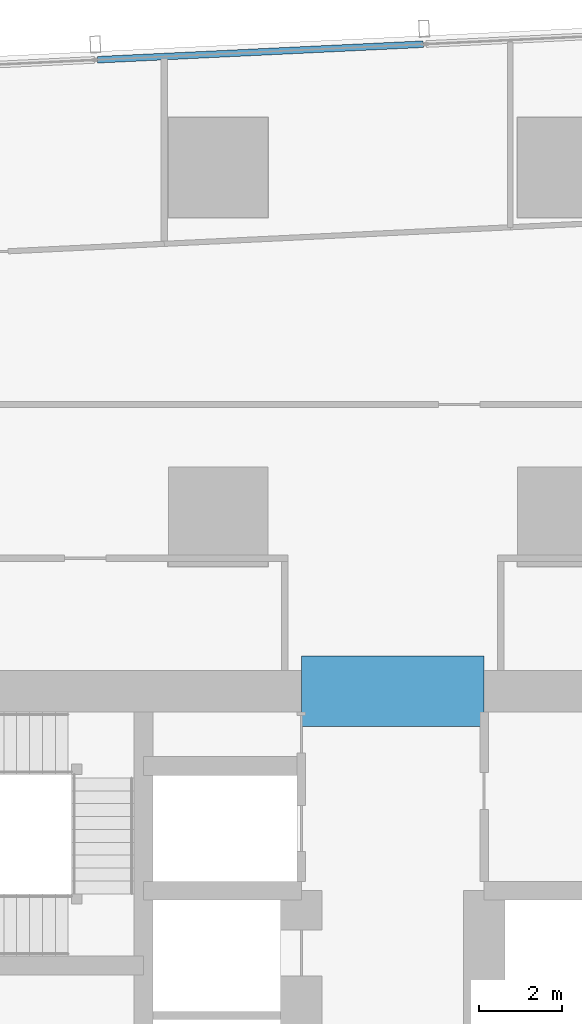
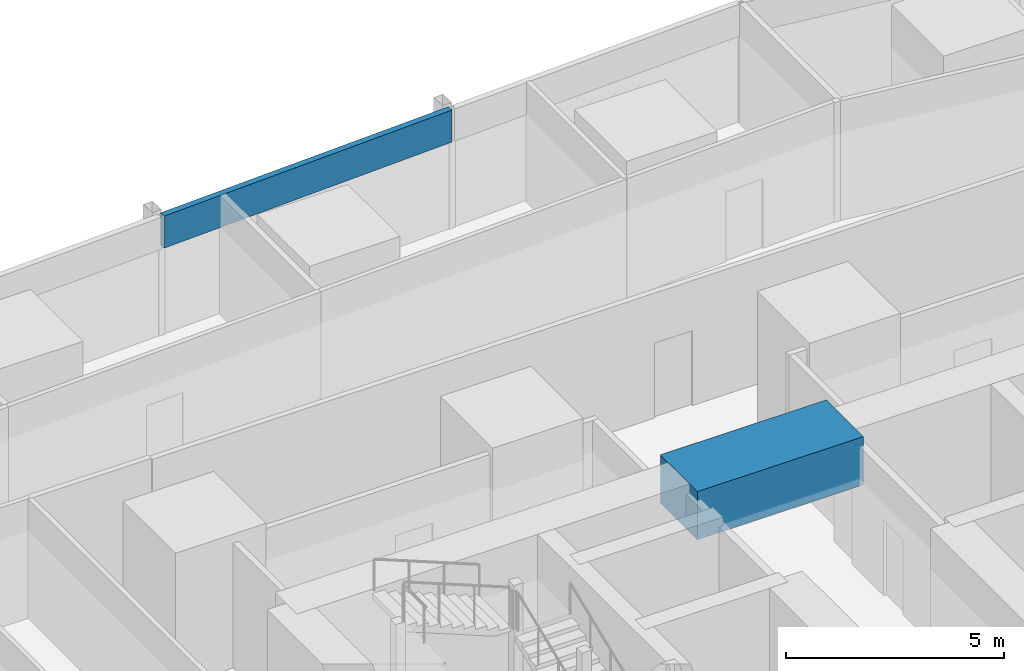
# One storey, part 18 of 37: 1 beam, 1 member, 1 element without a shape of its own.
"""IFC4 building model written with IfcOpenShell, lengths in metres."""

import ifcopenshell
import ifcopenshell.guid

model = None  # the IFC model being written
_history = None  # IfcOwnerHistory: only IFC2X3 demands one
_inside = {}  # id of a spatial element -> (the spatial element, [elements in it])
_under = {}  # id of a project, library or spatial element -> (it, [spatial elements below it])
_declared = {}  # id of a project -> (the project, [libraries it declares])
_typed = {}  # id of a type object -> (the type object, [elements of that type])
_made_of = {}  # id of a material, layer set ... -> (it, [elements and type objects made of it])


def new_model(schema):
    """Start an empty IFC model of exactly this schema.

    Asked for "IFC4X3", IfcOpenShell would pick the latest addendum, in which some entities
    have other attributes; the version numbers below select the first issue.
    IFC2X3 requires an IfcOwnerHistory on every rooted entity: one is made here for all.
    """
    global model, _history
    if schema == "IFC4X3":
        model = ifcopenshell.file(schema_version=(4, 3, 0, 0))
    else:
        model = ifcopenshell.file(schema=schema)
    _inside.clear()
    _under.clear()
    _declared.clear()
    _typed.clear()
    _made_of.clear()
    _history = None
    if model.schema == "IFC2X3":
        org = make("IfcOrganization", Name="unknown")
        user = make(
            "IfcPersonAndOrganization",
            ThePerson=make("IfcPerson", FamilyName="unknown"),
            TheOrganization=org,
        )
        app = make(
            "IfcApplication",
            ApplicationDeveloper=org,
            Version="unknown",
            ApplicationFullName="unknown",
            ApplicationIdentifier="unknown",
        )
        _history = make(
            "IfcOwnerHistory",
            OwningUser=user,
            OwningApplication=app,
            ChangeAction="ADDED",
            CreationDate=0,
        )
    return model


def make(cls, **values):
    """One entity of the class cls with the attributes given. An attribute that is None is left unset."""
    return model.create_entity(
        cls, **{name: value for name, value in values.items() if value is not None}
    )


def rooted(cls, **values):
    """An entity with a GlobalId (a new one), such as an element, a storey or a relation."""
    return make(cls, GlobalId=ifcopenshell.guid.new(), OwnerHistory=_history, **values)


def si_unit(unit_type, name, prefix=None):
    """IfcSIUnit, for example si_unit("LENGTHUNIT", "METRE", prefix="MILLI")."""
    return make("IfcSIUnit", UnitType=unit_type, Prefix=prefix, Name=name)


def assignment(units):
    """IfcUnitAssignment: the units of a project."""
    return None if units is None else make("IfcUnitAssignment", Units=units)


def point(xyz):
    """IfcCartesianPoint."""
    return None if xyz is None else make("IfcCartesianPoint", Coordinates=xyz)


def direction(xyz):
    """IfcDirection."""
    return None if xyz is None else make("IfcDirection", DirectionRatios=xyz)


def frame(location, z_axis=None, x_axis=None):
    """IfcAxis2Placement3D, a coordinate frame: its origin and axes. An axis left out is left unset."""
    return make(
        "IfcAxis2Placement3D",
        Location=point(location),
        Axis=direction(z_axis),
        RefDirection=direction(x_axis),
    )


def frame_2d(location, x_axis=None):
    """IfcAxis2Placement2D, a coordinate frame in the plane: its origin and x axis."""
    return make(
        "IfcAxis2Placement2D", Location=point(location), RefDirection=direction(x_axis)
    )


def origin():
    """The frame at (0, 0, 0) with its axes left unset."""
    return frame((0.0, 0.0, 0.0))


def origin_2d():
    """The frame at (0, 0) in the plane with its x axis left unset."""
    return frame_2d((0.0, 0.0))


def place(relative_to, where):
    """IfcLocalPlacement: puts the frame where relative to a parent placement (None: the world)."""
    return make(
        "IfcLocalPlacement", PlacementRelTo=relative_to, RelativePlacement=where
    )


def context(
    kind, dimensions, precision=None, world=None, true_north=None, identifier=None
):
    """IfcGeometricRepresentationContext, for example the 3D "Model" context."""
    return make(
        "IfcGeometricRepresentationContext",
        ContextIdentifier=identifier,
        ContextType=kind,
        CoordinateSpaceDimension=dimensions,
        Precision=precision,
        WorldCoordinateSystem=world,
        TrueNorth=true_north,
    )


def subcontext(parent, identifier, kind, view, scale=None):
    """IfcGeometricRepresentationSubContext, for example "Body" below "Model"."""
    return make(
        "IfcGeometricRepresentationSubContext",
        ContextIdentifier=identifier,
        ContextType=kind,
        ParentContext=parent,
        TargetScale=scale,
        TargetView=view,
    )


def project(units=None, contexts=None):
    """IfcProject with its units and contexts."""
    return rooted(
        "IfcProject",
        Name="project",
        RepresentationContexts=contexts,
        UnitsInContext=assignment(units),
    )


def spatial(cls, under=None, at=None, **own):
    """A site, building, storey or space (cls), placed at a placement, below another one or the project."""
    s = rooted(cls, ObjectPlacement=at, **own)
    if under is not None:
        _under.setdefault(under.id(), (under, []))[1].append(s)
    return s


def profile(cls, at=None, kind="AREA", **sizes):
    """A parametric profile (cls). Its sizes go by their IFC names, for example OverallWidth=200.0."""
    return make(cls, ProfileType=kind, Position=at, **sizes)


def rectangle(**sizes):
    """IfcRectangleProfileDef."""
    return profile("IfcRectangleProfileDef", **sizes)


def hollow_rectangle(**sizes):
    """IfcRectangleHollowProfileDef."""
    return profile("IfcRectangleHollowProfileDef", **sizes)


def extrude(swept, where, along, depth):
    """IfcExtrudedAreaSolid: the profile swept, set in the frame where, extruded along a direction by depth."""
    return make(
        "IfcExtrudedAreaSolid",
        SweptArea=swept,
        Position=where,
        ExtrudedDirection=direction(along),
        Depth=depth,
    )


def shape(context_of_items, identifier, shape_type, items):
    """IfcShapeRepresentation: the items that make up one representation, for example the "Body"."""
    return make(
        "IfcShapeRepresentation",
        ContextOfItems=context_of_items,
        RepresentationIdentifier=identifier,
        RepresentationType=shape_type,
        Items=items,
    )


def material(Name=None, Category=None):
    """IfcMaterial."""
    return make("IfcMaterial", Name=Name, Category=Category)


def material_profile(
    of_material, cross_section, Name=None, Category=None, Priority=None
):
    """IfcMaterialProfile: a cross section and its material."""
    return make(
        "IfcMaterialProfile",
        Name=Name,
        Material=of_material,
        Profile=cross_section,
        Priority=Priority,
        Category=Category,
    )


def profile_set(profiles, Name=None, composite=None):
    """IfcMaterialProfileSet."""
    return make(
        "IfcMaterialProfileSet",
        Name=Name,
        MaterialProfiles=profiles,
        CompositeProfile=composite,
    )


def made_of(thing, what):
    """Note that an element or type object is made of a material, layer set ...; save() writes the relation."""
    if what is not None:
        _made_of.setdefault(what.id(), (what, []))[1].append(thing)
    return thing


def type_object(cls, material=None, **own):
    """A type object (cls), such as IfcWallType, which elements share."""
    return made_of(rooted(cls, **own), material)


def element(
    cls,
    number,
    at=None,
    inside=None,
    cuts=None,
    type_object=None,
    material=None,
    context=None,
    identifier="Body",
    shape_type=None,
    held_by="IfcProductDefinitionShape",
    body=None,
    shapes=None,
    **own,
):
    """One element of the class cls, such as IfcWall. Its Tag is "e" and its number.

    at: its placement. inside: the storey or other place that contains it. cuts: it is an
    opening in that element (IfcRelVoidsElement). A single representation is given by context,
    identifier, shape_type and body (its items); several are given by shapes. held_by: the class
    of the entity that holds the representations. save() writes the other relations.
    """
    e = rooted(cls, Tag="e%d" % number, ObjectPlacement=at, **own)
    if body is not None:
        shapes = [shape(context, identifier, shape_type, body)]
    if shapes is not None:
        e.Representation = make(held_by, Representations=shapes)
    if inside is not None:
        _inside.setdefault(inside.id(), (inside, []))[1].append(e)
    if cuts is not None:
        rooted(
            "IfcRelVoidsElement", RelatingBuildingElement=cuts, RelatedOpeningElement=e
        )
    if type_object is not None:
        _typed.setdefault(type_object.id(), (type_object, []))[1].append(e)
    return made_of(e, material)


def aggregate(whole, parts):
    """IfcRelAggregates: a whole, such as a stair, and the parts it consists of."""
    return rooted("IfcRelAggregates", RelatingObject=whole, RelatedObjects=parts)


def save(model, path):
    """Write the relations noted so far, then the file.

    IfcRelAggregates (storeys below a building ...), IfcRelContainedInSpatialStructure (elements
    in a storey), IfcRelDefinesByType, IfcRelAssociatesMaterial and IfcRelDeclares: one each for
    every whole, place, type object, material and project.
    """
    for whole, parts in _under.values():
        aggregate(whole, parts)
    for where, things in _inside.values():
        rooted(
            "IfcRelContainedInSpatialStructure",
            RelatedElements=things,
            RelatingStructure=where,
        )
    for kind, things in _typed.values():
        rooted("IfcRelDefinesByType", RelatedObjects=things, RelatingType=kind)
    for what, things in _made_of.values():
        rooted("IfcRelAssociatesMaterial", RelatedObjects=things, RelatingMaterial=what)
    for by, libraries in _declared.values():
        rooted("IfcRelDeclares", RelatingContext=by, RelatedDefinitions=libraries)
    model.write(path)


model = new_model("IFC4")

# Units and contexts
model_context = context("Model", 3, precision=1e-05, world=origin(), true_north=direction((0.0, 1.0)))
body_context = subcontext(model_context, "Body", "Model", "MODEL_VIEW")
ifc_project = project(units=[si_unit("LENGTHUNIT", "METRE"), si_unit("AREAUNIT", "SQUARE_METRE"), si_unit("VOLUMEUNIT", "CUBIC_METRE"), si_unit("PLANEANGLEUNIT", "RADIAN"), si_unit("MASSUNIT", "GRAM", prefix="KILO")], contexts=[model_context])

# Site, building, storey
site_placement = place(None, origin())
site = spatial("IfcSite", under=ifc_project, at=site_placement, CompositionType="ELEMENT")
building_placement = place(site_placement, origin())
building = spatial("IfcBuilding", under=site, at=building_placement, Name="Rekha Terrace Tower", CompositionType="ELEMENT")
storey_placement = place(building_placement, frame((0.0, 0.0, 228.949951171875)))
storey = spatial("IfcBuildingStorey", under=building, at=storey_placement, Name="L58", CompositionType="ELEMENT", Elevation=228.949951171875)

# Curtain wall, member
ifc_material_1 = material(Name="Aluminium framing", Category="aluminium")
curtain_wall_type = type_object("IfcCurtainWallType", Name="CW3 north unitised glazing", PredefinedType="USERDEFINED", material=ifc_material_1)
curtain_wall_placement = place(storey_placement, origin())
curtain_wall = element("IfcCurtainWall", 1, at=curtain_wall_placement, inside=storey, type_object=curtain_wall_type, Name="CW3 unitised curtain wall", ObjectType="UNITISED CURTAIN WALL", PredefinedType="USERDEFINED")
ifc_material_2 = material(Name="Insulated aluminium spandrel box", Category="aluminium")
ifc_material_profile_1 = material_profile(ifc_material_2, hollow_rectangle(XDim=0.159912109375, YDim=0.89990234375, WallThickness=0.0029296875, at=origin_2d()), Name="AL SPANDREL BOX 160x900")
ifc_profile_set_1 = profile_set([ifc_material_profile_1], Name="Insulated aluminium spandrel box")
member_type = type_object("IfcMemberType", Name="CW3 spandrel transom 160 x 900", PredefinedType="USERDEFINED", material=ifc_profile_set_1)
member_placement = place(storey_placement, frame((38.53515625, 61.76953125, 3.050048828125), z_axis=(-0.998859252362, -0.047751376635, 0.0), x_axis=(0.047751376635, -0.998859252362, 0.0)))
member = element("IfcMember", 2, at=member_placement, type_object=member_type, Name="CW3 spandrel transom 2", ObjectType="TRANSOM", PredefinedType="USERDEFINED", context=body_context, shape_type="SweptSolid", body=[
    extrude(hollow_rectangle(XDim=0.159912109375, YDim=0.89990234375, WallThickness=0.0029296875, at=origin_2d()), origin(), (0.0, 0.0, 1.0), 7.84814453125),
])
aggregate(curtain_wall, [member])

# Beam
ifc_material_3 = material(Name="Concrete M60", Category="concrete")
ifc_material_profile_2 = material_profile(ifc_material_3, rectangle(XDim=1.699951171875, YDim=1.35009765625, at=origin_2d()), Name="RC 1700x1350")
ifc_profile_set_2 = profile_set([ifc_material_profile_2], Name="Concrete M60")
beam_type = type_object("IfcBeamType", Name="LB3A 1700x1350 diagonally reinforced coupling beam", PredefinedType="LINTEL", material=ifc_profile_set_2)
beam_placement = place(storey_placement, frame((35.60009765625, 46.199951171875, 3.074951171875), z_axis=(1.0, 0.0, 0.0), x_axis=(0.0, 1.0, 0.0)))
element("IfcBeam", 3, at=beam_placement, inside=storey, type_object=beam_type, Name="Coupling beam LB3A N L58", PredefinedType="LINTEL", context=body_context, shape_type="SweptSolid", body=[
    extrude(rectangle(XDim=1.699951171875, YDim=1.35009765625, at=origin_2d()), origin(), (0.0, 0.0, 1.0), 4.39990234375),
])

save(model, "model.ifc")
